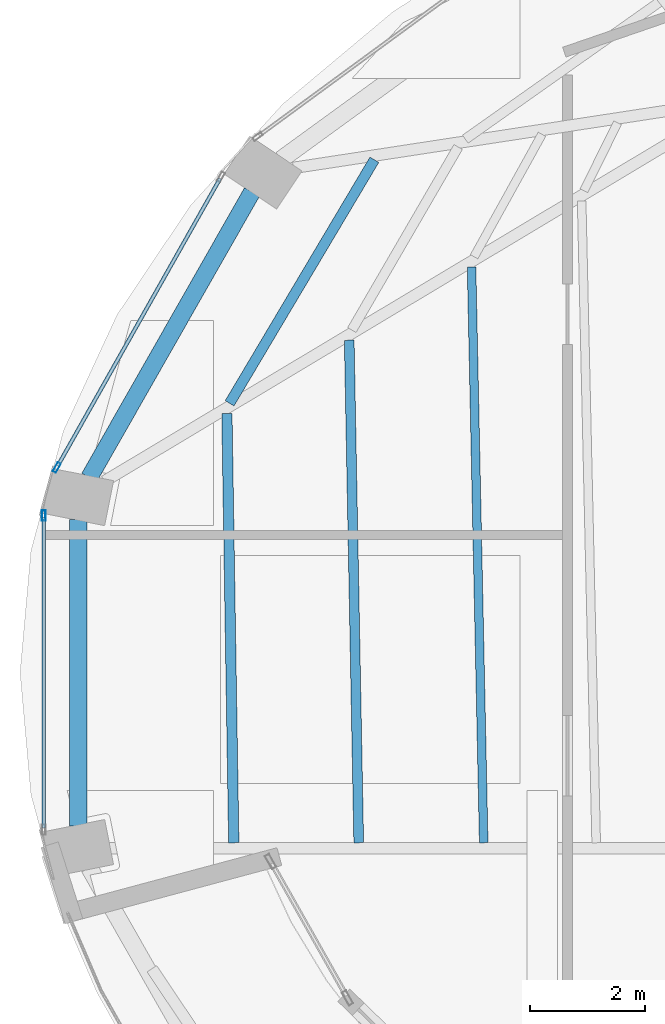
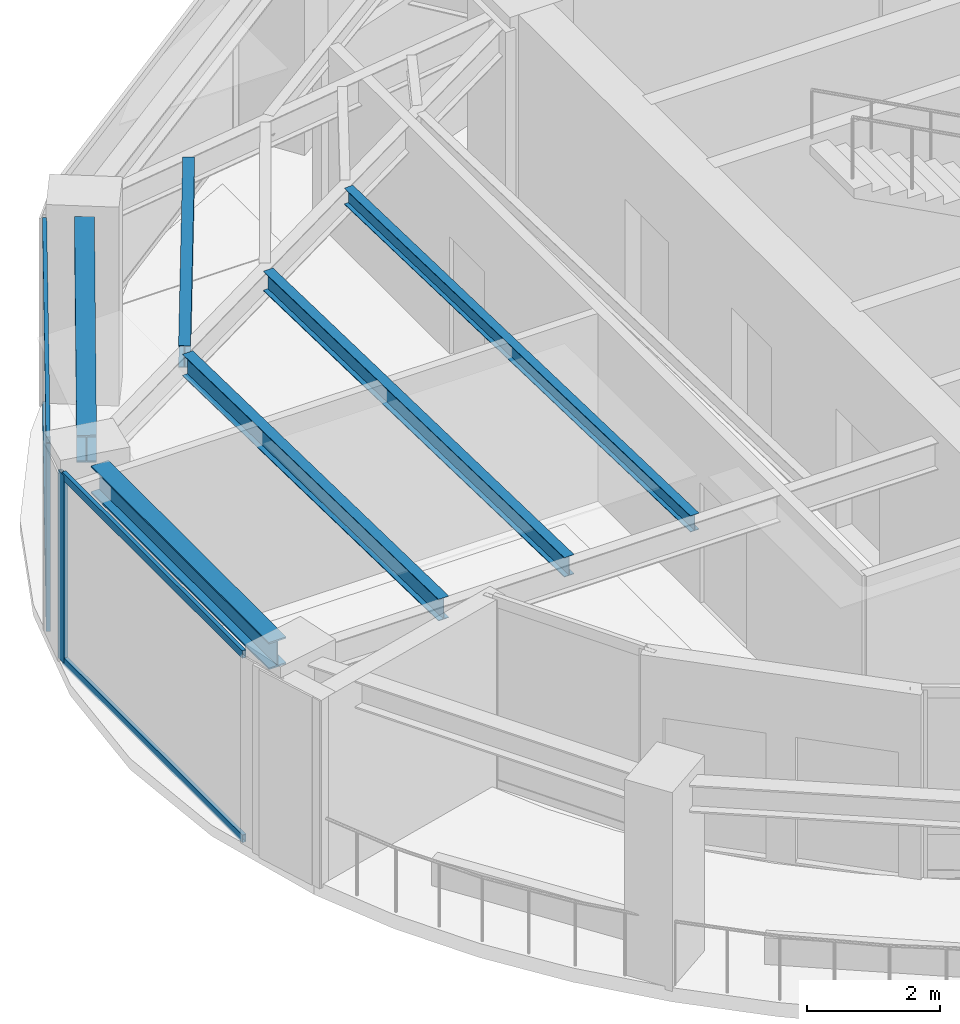
# One storey, part 6 of 21: 6 beams, 6 members, 2 elements without a shape of their own.
"""IFC4 building model written with IfcOpenShell, lengths in metres."""

from ifc_helpers import new_model, si_unit, direction, frame, origin, origin_2d, place, context, subcontext, project, spatial, hollow_rectangle, i_section, extrude, material, layer, layer_set, material_profile, profile_set, type_object, element, aggregate, save


model = new_model("IFC4")

# Units and contexts
model_context = context("Model", 3, precision=1e-05, world=origin(), true_north=direction((0.0, 1.0)))
body_context = subcontext(model_context, "Body", "Model", "MODEL_VIEW")
ifc_project = project(units=[si_unit("LENGTHUNIT", "METRE"), si_unit("AREAUNIT", "SQUARE_METRE"), si_unit("VOLUMEUNIT", "CUBIC_METRE"), si_unit("PLANEANGLEUNIT", "RADIAN"), si_unit("MASSUNIT", "GRAM", prefix="KILO")], contexts=[model_context])

# Site, building, storey
site_placement = place(None, origin())
site = spatial("IfcSite", under=ifc_project, at=site_placement, CompositionType="ELEMENT")
building_placement = place(site_placement, origin())
building = spatial("IfcBuilding", under=site, at=building_placement, Name="Lazwardi Medical Tower", CompositionType="ELEMENT")
storey_placement = place(building_placement, frame((0.0, 0.0, 216.719970703125)))
storey = spatial("IfcBuildingStorey", under=building, at=storey_placement, Name="L56", CompositionType="ELEMENT", Elevation=216.719970703125)

# Beams
ifc_material_1 = material(Name="Steel S355", Category="steel")
ifc_material_profile_1 = material_profile(ifc_material_1, i_section(OverallWidth=0.300048828125, OverallDepth=0.5, WebThickness=0.014404296875, FlangeThickness=0.028076171875, at=origin_2d()), Name="HEB 500")
ifc_profile_set_1 = profile_set([ifc_material_profile_1], Name="Steel S355")
beam_type_1 = type_object("IfcBeamType", Name="BM-RB-Z4", PredefinedType="BEAM", material=ifc_profile_set_1)
beam_1_placement = place(storey_placement, frame((17.84716796875, 33.983642578125, 3.197998046875), z_axis=(-0.495125273299, -0.868821594886, 0.0), x_axis=(0.868821594886, -0.495125273299, 0.0)))
element("IfcBeam", 1, at=beam_1_placement, inside=storey, type_object=beam_type_1, Name="Ring beam RB-05 B11 L56", PredefinedType="BEAM", context=body_context, shape_type="SweptSolid", body=[
    extrude(i_section(OverallWidth=0.300048828125, OverallDepth=0.5, WebThickness=0.014404296875, FlangeThickness=0.028076171875, at=origin_2d()), origin(), (0.0, 0.0, 1.0), 5.734130859375),
])
beam_2_placement = place(storey_placement, frame((14.81494140625, 28.27294921875, 3.197998046875), z_axis=(0.0, -1.0, 0.0), x_axis=(1.0, 0.0, 0.0)))
element("IfcBeam", 2, at=beam_2_placement, inside=storey, type_object=beam_type_1, Name="Ring beam RB-05 B12 L56", PredefinedType="BEAM", context=body_context, shape_type="SweptSolid", body=[
    extrude(i_section(OverallWidth=0.300048828125, OverallDepth=0.5, WebThickness=0.014404296875, FlangeThickness=0.028076171875, at=origin_2d()), origin(), (0.0, 0.0, 1.0), 5.345947265625),
])
ifc_material_profile_2 = material_profile(ifc_material_1, i_section(OverallWidth=0.179931640625, OverallDepth=0.39990234375, WebThickness=0.008544921875, FlangeThickness=0.013427734375, at=origin_2d()), Name="IPE 400")
ifc_profile_set_2 = profile_set([ifc_material_profile_2], Name="Steel S355")
beam_type_2 = type_object("IfcBeamType", Name="BM-SJ-01", PredefinedType="JOIST", material=ifc_profile_set_2)
beam_3_placement = place(storey_placement, frame((19.98095703125, 34.544921875, 3.248046875), z_axis=(-0.510967866251, -0.859599813668, 0.0), x_axis=(0.859599813668, -0.510967866251, 0.0)))
element("IfcBeam", 3, at=beam_3_placement, inside=storey, type_object=beam_type_2, Name="Secondary joist SJ-01 R1 B11 L56", PredefinedType="JOIST", context=body_context, shape_type="SweptSolid", body=[
    extrude(i_section(OverallWidth=0.179931640625, OverallDepth=0.39990234375, WebThickness=0.008544921875, FlangeThickness=0.013427734375, at=origin_2d()), origin(), (0.0, 0.0, 1.0), 4.94189453125),
])
beam_4_placement = place(storey_placement, frame((17.408935546875, 30.120361328125, 3.248046875), z_axis=(0.015973444315, -0.9998724164, 0.0), x_axis=(0.9998724164, 0.015973444315, 0.0)))
element("IfcBeam", 4, at=beam_4_placement, inside=storey, type_object=beam_type_2, Name="Secondary joist SJ-01 R1 B12 L56", PredefinedType="JOIST", context=body_context, shape_type="SweptSolid", body=[
    extrude(i_section(OverallWidth=0.179931640625, OverallDepth=0.39990234375, WebThickness=0.008544921875, FlangeThickness=0.013427734375, at=origin_2d()), origin(), (0.0, 0.0, 1.0), 7.4892578125),
])
ifc_material_profile_3 = material_profile(ifc_material_1, i_section(OverallWidth=0.169921875, OverallDepth=0.360107421875, WebThickness=0.008056640625, FlangeThickness=0.0126953125, at=origin_2d()), Name="IPE 360")
ifc_profile_set_3 = profile_set([ifc_material_profile_3], Name="Steel S355")
beam_type_3 = type_object("IfcBeamType", Name="BM-SJ-02", PredefinedType="JOIST", material=ifc_profile_set_3)
beam_5_placement = place(storey_placement, frame((19.54248046875, 31.397705078125, 3.26806640625), z_axis=(0.018908160974, -0.999821224744, 0.0), x_axis=(0.999821224744, 0.018908160974, 0.0)))
element("IfcBeam", 5, at=beam_5_placement, inside=storey, type_object=beam_type_3, Name="Secondary joist SJ-02 R2 B12 L56", PredefinedType="JOIST", context=body_context, shape_type="SweptSolid", body=[
    extrude(i_section(OverallWidth=0.169921875, OverallDepth=0.360107421875, WebThickness=0.008056640625, FlangeThickness=0.0126953125, at=origin_2d()), origin(), (0.0, 0.0, 1.0), 8.76708984375),
])
ifc_material_profile_4 = material_profile(ifc_material_1, i_section(OverallWidth=0.14990234375, OverallDepth=0.300048828125, WebThickness=0.007080078125, FlangeThickness=0.0107421875, at=origin_2d()), Name="IPE 300")
ifc_profile_set_4 = profile_set([ifc_material_profile_4], Name="Steel S355")
beam_type_4 = type_object("IfcBeamType", Name="BM-SJ-03", PredefinedType="JOIST", material=ifc_profile_set_4)
beam_6_placement = place(storey_placement, frame((21.67626953125, 32.67529296875, 3.298095703125), z_axis=(0.021071237716, -0.999777976823, 0.0), x_axis=(0.999777976823, 0.021071237716, 0.0)))
element("IfcBeam", 6, at=beam_6_placement, inside=storey, type_object=beam_type_4, Name="Secondary joist SJ-03 R3 B12 L56", PredefinedType="JOIST", context=body_context, shape_type="SweptSolid", body=[
    extrude(i_section(OverallWidth=0.14990234375, OverallDepth=0.300048828125, WebThickness=0.007080078125, FlangeThickness=0.0107421875, at=origin_2d()), origin(), (0.0, 0.0, 1.0), 10.04541015625),
])

# Curtain wall, member
ifc_material_2 = material(Name="Anodised bronze aluminium and solar control glazing", Category="aluminium")
ifc_layer = layer(ifc_material_2, 0.18994140625)
ifc_layer_set = layer_set([ifc_layer], Name="Anodised bronze aluminium and solar control glazing")
curtain_wall_type = type_object("IfcCurtainWallType", Name="CW-SYS-04", PredefinedType="NOTDEFINED", material=ifc_layer_set)
curtain_wall_1_placement = place(storey_placement, origin())
curtain_wall_1 = element("IfcCurtainWall", 7, at=curtain_wall_1_placement, inside=storey, type_object=curtain_wall_type, Name="L56 Unitised bronze curtain wall CW-04", PredefinedType="NOTDEFINED")
ifc_material_3 = material(Name="Anodised bronze aluminium", Category="aluminium")
ifc_material_profile_5 = material_profile(ifc_material_3, hollow_rectangle(XDim=0.06494140625, YDim=0.179931640625, WallThickness=0.00390625, at=origin_2d()), Name="ALU-MULLION 180x65x4")
ifc_profile_set_5 = profile_set([ifc_material_profile_5], Name="Anodised bronze aluminium")
member_type_1 = type_object("IfcMemberType", Name="CW-MUL-03", PredefinedType="MULLION", material=ifc_profile_set_5)
member_1_placement = place(storey_placement, frame((14.442626953125, 29.17822265625, 0.0), z_axis=(0.0, 0.0, 1.0), x_axis=(0.870651436011, -0.491900474661, 0.0)))
member_1 = element("IfcMember", 8, at=member_1_placement, type_object=member_type_1, Name="CW-04 mullion 2", PredefinedType="MULLION", context=body_context, shape_type="SweptSolid", body=[
    extrude(hollow_rectangle(XDim=0.06494140625, YDim=0.179931640625, WallThickness=0.00390625, at=origin_2d()), origin(), (0.0, 0.0, 1.0), 3.447998046875),
])

curtain_wall_2_placement = place(storey_placement, origin())
curtain_wall_2 = element("IfcCurtainWall", 9, at=curtain_wall_2_placement, inside=storey, type_object=curtain_wall_type, Name="L56 Unitised bronze curtain wall CW-04", PredefinedType="NOTDEFINED")
member_2_placement = place(storey_placement, frame((14.2158203125, 28.340576171875, 0.0), z_axis=(0.0, 0.0, 1.0), x_axis=(1.0, 0.0, 0.0)))
member_2 = element("IfcMember", 10, at=member_2_placement, type_object=member_type_1, Name="CW-04 mullion 1", PredefinedType="MULLION", context=body_context, shape_type="SweptSolid", body=[
    extrude(hollow_rectangle(XDim=0.06494140625, YDim=0.179931640625, WallThickness=0.00390625, at=origin_2d()), origin(), (0.0, 0.0, 1.0), 3.447998046875),
])

# Member
ifc_material_profile_6 = material_profile(ifc_material_3, hollow_rectangle(XDim=0.06494140625, YDim=0.139892578125, WallThickness=0.00341796875, at=origin_2d()), Name="ALU-TRANSOM 140x65x3.5")
ifc_profile_set_6 = profile_set([ifc_material_profile_6], Name="Anodised bronze aluminium")
member_type_2 = type_object("IfcMemberType", Name="CW-TRN-03", PredefinedType="USERDEFINED", material=ifc_profile_set_6)
member_3_placement = place(storey_placement, frame((17.28955078125, 34.21728515625, 0.032470703125), z_axis=(-0.491879719484, -0.87066316194, 0.0), x_axis=(0.87066316194, -0.491879719484, 0.0)))
member_3 = element("IfcMember", 11, at=member_3_placement, type_object=member_type_2, Name="CW-04 transom 1.1", ObjectType="TRANSOM", PredefinedType="USERDEFINED", context=body_context, shape_type="SweptSolid", body=[
    extrude(hollow_rectangle(XDim=0.06494140625, YDim=0.139892578125, WallThickness=0.00341796875, at=origin_2d()), origin(), (0.0, 0.0, 1.0), 5.755126953125),
])

member_4_placement = place(storey_placement, frame((17.28955078125, 34.21728515625, 3.41552734375), z_axis=(-0.491879719484, -0.87066316194, 0.0), x_axis=(0.87066316194, -0.491879719484, 0.0)))
member_4 = element("IfcMember", 12, at=member_4_placement, type_object=member_type_2, Name="CW-04 transom 1.2", ObjectType="TRANSOM", PredefinedType="USERDEFINED", context=body_context, shape_type="SweptSolid", body=[
    extrude(hollow_rectangle(XDim=0.06494140625, YDim=0.139892578125, WallThickness=0.00341796875, at=origin_2d()), origin(), (0.0, 0.0, 1.0), 5.755126953125),
])

aggregate(curtain_wall_1, [member_1, member_3, member_4])

member_5_placement = place(storey_placement, frame((14.2158203125, 28.30810546875, 0.032470703125), z_axis=(0.0, -1.0, 0.0), x_axis=(1.0, 0.0, 0.0)))
member_5 = element("IfcMember", 13, at=member_5_placement, type_object=member_type_2, Name="CW-04 transom 1.1", ObjectType="TRANSOM", PredefinedType="USERDEFINED", context=body_context, shape_type="SweptSolid", body=[
    extrude(hollow_rectangle(XDim=0.06494140625, YDim=0.139892578125, WallThickness=0.00341796875, at=origin_2d()), origin(), (0.0, 0.0, 1.0), 5.416015625),
])

member_6_placement = place(storey_placement, frame((14.2158203125, 28.30810546875, 3.41552734375), z_axis=(0.0, -1.0, 0.0), x_axis=(1.0, 0.0, 0.0)))
member_6 = element("IfcMember", 14, at=member_6_placement, type_object=member_type_2, Name="CW-04 transom 1.2", ObjectType="TRANSOM", PredefinedType="USERDEFINED", context=body_context, shape_type="SweptSolid", body=[
    extrude(hollow_rectangle(XDim=0.06494140625, YDim=0.139892578125, WallThickness=0.00341796875, at=origin_2d()), origin(), (0.0, 0.0, 1.0), 5.416015625),
])

aggregate(curtain_wall_2, [member_2, member_5, member_6])

save(model, "model.ifc")
